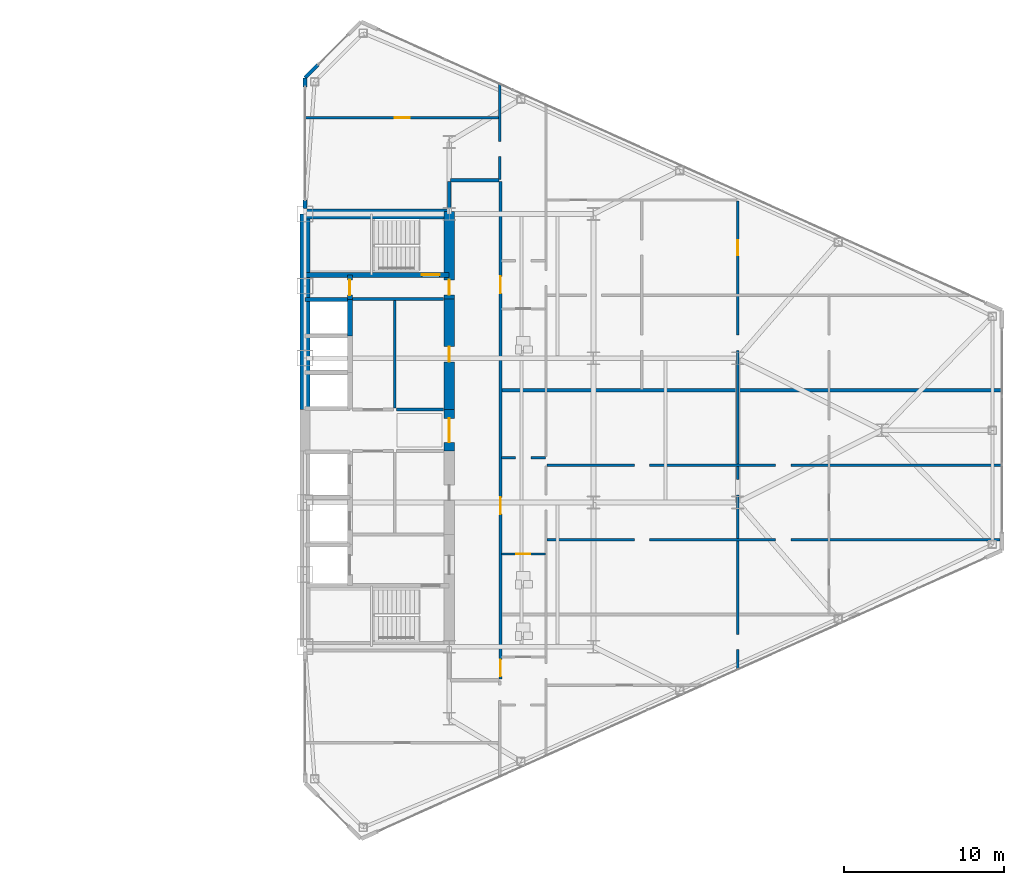
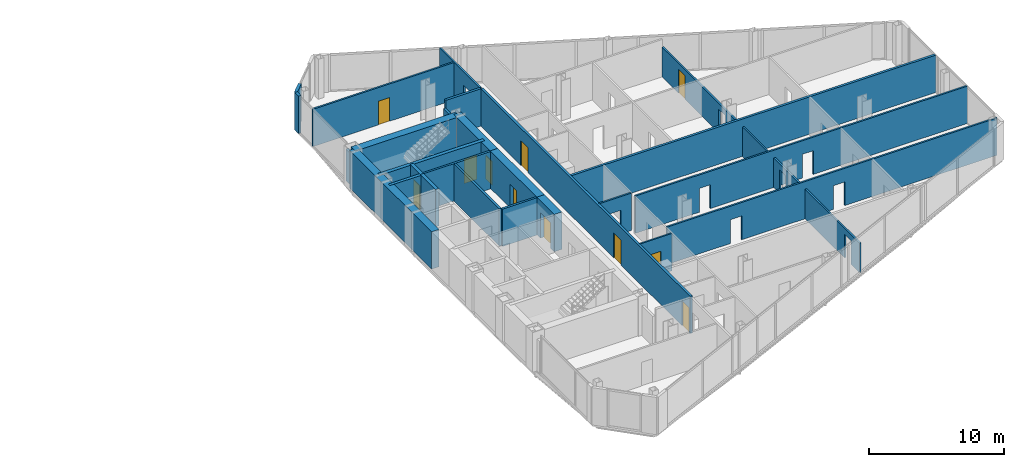
# One storey, part 23 of 27: 26 walls, 11 doors, 20 openings.
"""IFC4 building model written with IfcOpenShell, lengths in metres."""

from ifc_helpers import new_model, si_unit, direction, frame, frame_2d, origin, place, context, subcontext, project, spatial, rectangle, extrude, source, transform, mapped, material, layer, layer_set, type_object, type_shapes, element, fill, save


model = new_model("IFC4")

# Units and contexts
model_context = context("Model", 3, precision=1e-05, world=origin(), true_north=direction((0.0, 1.0)))
body_context = subcontext(model_context, "Body", "Model", "MODEL_VIEW")
ifc_project = project(units=[si_unit("LENGTHUNIT", "METRE"), si_unit("AREAUNIT", "SQUARE_METRE"), si_unit("VOLUMEUNIT", "CUBIC_METRE"), si_unit("PLANEANGLEUNIT", "RADIAN"), si_unit("MASSUNIT", "GRAM", prefix="KILO")], contexts=[model_context])

# Site, building, storey
site_placement = place(None, origin())
site = spatial("IfcSite", under=ifc_project, at=site_placement, CompositionType="ELEMENT")
building_placement = place(site_placement, origin())
building = spatial("IfcBuilding", under=site, at=building_placement, Name="Seokmaru Belvedere", CompositionType="ELEMENT")
storey_placement = place(building_placement, frame((0.0, 0.0, 65.699951171875)))
storey = spatial("IfcBuildingStorey", under=building, at=storey_placement, Name="L17", CompositionType="ELEMENT", Elevation=65.699951171875)

# Wall, openings
ifc_material_1 = material(Name="Fire-Rated Gypsum Shaftwall")
ifc_layer_1 = layer(ifc_material_1, 0.14990234375)
ifc_layer_set_1 = layer_set([ifc_layer_1], Name="Fire-Rated Gypsum Shaftwall")
wall_type_1 = type_object("IfcWallType", Name="Apartment Fire-Acoustic Room Partition 150", PredefinedType="PARTITIONING", material=ifc_layer_set_1)
wall_1_placement = place(storey_placement, frame((42.60009765625, -6.830078125, 0.0), z_axis=(0.0, 0.0, 1.0), x_axis=(1.0, 0.0, 0.0)))
wall_1 = element("IfcWall", 1, at=wall_1_placement, inside=storey, type_object=wall_type_1, Name="L17 Interior Partition 015", PredefinedType="PARTITIONING", context=body_context, shape_type="SweptSolid", body=[
    extrude(rectangle(XDim=28.27490234375, YDim=0.14990234375, at=frame_2d((14.137451171875, 0.0))), origin(), (0.0, 0.0, 1.0), 3.380126953125),
])
opening_1_placement = place(wall_1_placement, frame((5.449951171875, 0.0, 0.0)))
element("IfcOpeningElement", 2, at=opening_1_placement, cuts=wall_1, Name="L17 Cased Opening 039", PredefinedType="OPENING", context=body_context, shape_type="SweptSolid", body=[
    extrude(rectangle(XDim=0.949951171875, YDim=2.14990234375, at=frame_2d((0.47509765625, 1.074951171875))), frame((0.0, 0.0849609375, 0.0), z_axis=(0.0, -1.0, 0.0), x_axis=(1.0, 0.0, 0.0)), (0.0, 0.0, 1.0), 0.169921875),
])
opening_2_placement = place(wall_1_placement, frame((14.27490234375, 0.0, 0.0)))
element("IfcOpeningElement", 3, at=opening_2_placement, cuts=wall_1, Name="L17 Cased Opening 041", PredefinedType="OPENING", context=body_context, shape_type="SweptSolid", body=[
    extrude(rectangle(XDim=0.949951171875, YDim=2.14990234375, at=frame_2d((0.47509765625, 1.074951171875))), frame((0.0, 0.0849609375, 0.0), z_axis=(0.0, -1.0, 0.0), x_axis=(1.0, 0.0, 0.0)), (0.0, 0.0, 1.0), 0.169921875),
])

wall_2_placement = place(storey_placement, frame((42.60009765625, -2.169921875, 0.0), z_axis=(0.0, 0.0, 1.0), x_axis=(1.0, 0.0, 0.0)))
wall_2 = element("IfcWall", 4, at=wall_2_placement, inside=storey, type_object=wall_type_1, Name="L17 Interior Partition 017", PredefinedType="PARTITIONING", context=body_context, shape_type="SweptSolid", body=[
    extrude(rectangle(XDim=28.434814453125, YDim=0.14990234375, at=frame_2d((14.21728515625, 0.0))), origin(), (0.0, 0.0, 1.0), 3.380126953125),
])
opening_3_placement = place(wall_2_placement, frame((5.449951171875, 0.0, 0.0)))
element("IfcOpeningElement", 5, at=opening_3_placement, cuts=wall_2, Name="L17 Cased Opening 040", PredefinedType="OPENING", context=body_context, shape_type="SweptSolid", body=[
    extrude(rectangle(XDim=0.949951171875, YDim=2.14990234375, at=frame_2d((0.47509765625, 1.074951171875))), frame((0.0, 0.0849609375, 0.0), z_axis=(0.0, -1.0, 0.0), x_axis=(1.0, 0.0, 0.0)), (0.0, 0.0, 1.0), 0.169921875),
])
opening_4_placement = place(wall_2_placement, frame((14.27490234375, 0.0, 0.0)))
element("IfcOpeningElement", 6, at=opening_4_placement, cuts=wall_2, Name="L17 Cased Opening 044", PredefinedType="OPENING", context=body_context, shape_type="SweptSolid", body=[
    extrude(rectangle(XDim=0.949951171875, YDim=2.14990234375, at=frame_2d((0.47509765625, 1.074951171875))), frame((0.0, 0.0849609375, 0.0), z_axis=(0.0, -1.0, 0.0), x_axis=(1.0, 0.0, 0.0)), (0.0, 0.0, 1.0), 0.169921875),
])

# Wall, opening
wall_3_placement = place(storey_placement, frame((39.75, -1.699951171875, 0.0), z_axis=(0.0, 0.0, 1.0), x_axis=(1.0, 0.0, 0.0)))
wall_3 = element("IfcWall", 7, at=wall_3_placement, inside=storey, type_object=wall_type_1, Name="L17 Interior Partition 018", PredefinedType="PARTITIONING", context=body_context, shape_type="SweptSolid", body=[
    extrude(rectangle(XDim=2.75, YDim=0.14990234375, at=frame_2d((1.375, 0.0))), origin(), (0.0, 0.0, 1.0), 3.380126953125),
])
opening_5_placement = place(wall_3_placement, frame((0.89990234375, 0.0, 0.0)))
element("IfcOpeningElement", 8, at=opening_5_placement, cuts=wall_3, Name="L17 Cased Opening 036", PredefinedType="OPENING", context=body_context, shape_type="SweptSolid", body=[
    extrude(rectangle(XDim=0.949951171875, YDim=2.14990234375, at=frame_2d((0.47509765625, 1.074951171875))), frame((0.0, 0.0849609375, 0.0), z_axis=(0.0, -1.0, 0.0), x_axis=(1.0, 0.0, 0.0)), (0.0, 0.0, 1.0), 0.169921875),
])

# Wall, opening, door
wall_4_placement = place(storey_placement, frame((27.465087890625, 19.5, 0.0), z_axis=(0.0, 0.0, 1.0), x_axis=(1.0, 0.0, 0.0)))
wall_4 = element("IfcWall", 9, at=wall_4_placement, inside=storey, type_object=wall_type_1, Name="L17 Interior Partition 031", PredefinedType="PARTITIONING", context=body_context, shape_type="SweptSolid", body=[
    extrude(rectangle(XDim=12.135009765625, YDim=0.14990234375, at=frame_2d((6.0673828125, 0.0))), origin(), (0.0, 0.0, 1.0), 3.380126953125),
])
opening_6_placement = place(wall_4_placement, frame((5.635009765625, 0.0, 0.0)))
opening_6 = element("IfcOpeningElement", 10, at=opening_6_placement, cuts=wall_4, Name="Opening D05", PredefinedType="OPENING", context=body_context, shape_type="SweptSolid", body=[
    extrude(rectangle(XDim=0.949951171875, YDim=2.14990234375, at=frame_2d((0.47509765625, 1.074951171875))), frame((0.0, 0.0849609375, 0.0), z_axis=(0.0, -1.0, 0.0), x_axis=(1.0, 0.0, 0.0)), (0.0, 0.0, 1.0), 0.169921875),
])
ifc_material_2 = material(Name="Engineered White Oak Timber", Category="wood")
door_type_1 = type_object("IfcDoorType", Name="Apartment Interior Fire-Rated Oak Door 950x2150", OperationType="NOTDEFINED", PredefinedType="DOOR", material=ifc_material_2)
shared_shape_1 = source(origin(), body_context, "Body", "SweptSolid", [
    extrude(rectangle(XDim=0.949951171875, YDim=2.14990234375, at=frame_2d((0.47509765625, 1.074951171875))), frame((0.0, 0.02490234375, 0.0), z_axis=(0.0, -1.0, 0.0), x_axis=(1.0, 0.0, 0.0)), (0.0, 0.0, 1.0), 0.050048828125),
])
type_shapes(door_type_1, [shared_shape_1])
door_1_placement = place(opening_6_placement, origin())
door_1 = element("IfcDoor", 11, at=door_1_placement, inside=storey, type_object=door_type_1, Name="L17 Interior Door 058", OperationType="SINGLE_SWING_LEFT", OverallHeight=2.14990234375, OverallWidth=0.949951171875, PredefinedType="DOOR", context=body_context, shape_type="MappedRepresentation", body=[
    mapped(shared_shape_1, transform((0.0, 0.0, 0.0), scale=1.0)),
])
fill(opening_6, door_1)

# Wall, opening
wall_5_placement = place(storey_placement, frame((39.64990234375, 15.64990234375, 0.0), z_axis=(0.0, 0.0, 1.0), x_axis=(0.0, 1.0, 0.0)))
wall_5 = element("IfcWall", 12, at=wall_5_placement, inside=storey, type_object=wall_type_1, Name="L17 Interior Partition 043", PredefinedType="PARTITIONING", context=body_context, shape_type="SweptSolid", body=[
    extrude(rectangle(XDim=5.9921875, YDim=0.14990234375, at=frame_2d((2.99609375, 0.0))), origin(), (0.0, 0.0, 1.0), 3.380126953125),
])
opening_7_placement = place(wall_5_placement, frame((1.425048828125, 0.0, 0.0)))
element("IfcOpeningElement", 13, at=opening_7_placement, cuts=wall_5, Name="L17 Cased Opening 057", PredefinedType="OPENING", context=body_context, shape_type="SweptSolid", body=[
    extrude(rectangle(XDim=0.949951171875, YDim=2.14990234375, at=frame_2d((0.47509765625, 1.074951171875))), frame((0.0, 0.0849609375, 0.0), z_axis=(0.0, -1.0, 0.0), x_axis=(1.0, 0.0, 0.0)), (0.0, 0.0, 1.0), 0.169921875),
])

# Wall, openings, door
wall_6_placement = place(storey_placement, frame((54.5, -14.9599609375, 0.0), z_axis=(0.0, 0.0, 1.0), x_axis=(0.0, 1.0, 0.0)))
wall_6 = element("IfcWall", 14, at=wall_6_placement, inside=storey, type_object=wall_type_1, Name="L17 Interior Partition 048", PredefinedType="PARTITIONING", context=body_context, shape_type="SweptSolid", body=[
    extrude(rectangle(XDim=29.278076171875, YDim=0.14990234375, at=frame_2d((14.63916015625, 0.0))), origin(), (0.0, 0.0, 1.0), 2.679931640625),
])
opening_8_placement = place(wall_6_placement, frame((1.2724609375, 0.0, 0.0)))
element("IfcOpeningElement", 15, at=opening_8_placement, cuts=wall_6, Name="L17 Cased Opening 031", PredefinedType="OPENING", context=body_context, shape_type="SweptSolid", body=[
    extrude(rectangle(XDim=0.949951171875, YDim=2.14990234375, at=frame_2d((0.47509765625, 1.074951171875))), frame((0.0, 0.0849609375, 0.0), z_axis=(0.0, -1.0, 0.0), x_axis=(1.0, 0.0, 0.0)), (0.0, 0.0, 1.0), 0.169921875),
])
opening_9_placement = place(wall_6_placement, frame((10.939697265625, 0.0, 0.0)))
element("IfcOpeningElement", 16, at=opening_9_placement, cuts=wall_6, Name="L17 Cased Opening 038", PredefinedType="OPENING", context=body_context, shape_type="SweptSolid", body=[
    extrude(rectangle(XDim=0.949951171875, YDim=2.14990234375, at=frame_2d((0.47509765625, 1.074951171875))), frame((0.0, 0.0849609375, 0.0), z_axis=(0.0, -1.0, 0.0), x_axis=(1.0, 0.0, 0.0)), (0.0, 0.0, 1.0), 0.169921875),
])
opening_10_placement = place(wall_6_placement, frame((25.88623046875, 0.0, 0.0)))
opening_10 = element("IfcOpeningElement", 17, at=opening_10_placement, cuts=wall_6, Name="Opening D05", PredefinedType="OPENING", context=body_context, shape_type="SweptSolid", body=[
    extrude(rectangle(XDim=0.949951171875, YDim=2.14990234375, at=frame_2d((0.47509765625, 1.074951171875))), frame((0.0, 0.0849609375, 0.0), z_axis=(0.0, -1.0, 0.0), x_axis=(1.0, 0.0, 0.0)), (0.0, 0.0, 1.0), 0.169921875),
])
opening_11_placement = place(wall_6_placement, frame((19.9521484375, 0.0, 0.0)))
element("IfcOpeningElement", 18, at=opening_11_placement, cuts=wall_6, Name="L17 Cased Opening 055", PredefinedType="OPENING", context=body_context, shape_type="SweptSolid", body=[
    extrude(rectangle(XDim=0.949951171875, YDim=2.14990234375, at=frame_2d((0.47509765625, 1.074951171875))), frame((0.0, 0.0849609375, 0.0), z_axis=(0.0, -1.0, 0.0), x_axis=(1.0, 0.0, 0.0)), (0.0, 0.0, 1.0), 0.169921875),
])
door_2_placement = place(opening_10_placement, origin())
door_2 = element("IfcDoor", 19, at=door_2_placement, inside=storey, type_object=door_type_1, Name="L17 Interior Door 053", OperationType="SINGLE_SWING_LEFT", OverallHeight=2.14990234375, OverallWidth=0.949951171875, PredefinedType="DOOR", context=body_context, shape_type="MappedRepresentation", body=[
    mapped(shared_shape_1, transform((0.0, 0.0, 0.0), scale=1.0)),
])
fill(opening_10, door_2)

# Walls
ifc_layer_2 = layer(ifc_material_1, 0.179931640625)
ifc_layer_set_2 = layer_set([ifc_layer_2], Name="Fire-Rated Gypsum Shaftwall")
wall_type_2 = type_object("IfcWallType", Name="Core Service Fire Partition 180", PredefinedType="PARTITIONING", material=ifc_layer_set_2)
wall_7_placement = place(storey_placement, frame((30.449951171875, 8.199951171875, 0.0), z_axis=(0.0, 0.0, 1.0), x_axis=(1.0, 0.0, 0.0)))
element("IfcWall", 20, at=wall_7_placement, inside=storey, type_object=wall_type_2, Name="L17 East Smokeproof Vestibule Partition", PredefinedType="PARTITIONING", context=body_context, shape_type="SweptSolid", body=[
    extrude(rectangle(XDim=5.699951171875, YDim=0.179931640625, at=frame_2d((2.85009765625, 0.0))), origin(), (0.0, 0.0, 1.0), 3.380126953125),
])
wall_8_placement = place(storey_placement, frame((33.10009765625, 1.3798828125, 0.0), z_axis=(0.0, 0.0, 1.0), x_axis=(0.0, 1.0, 0.0)))
element("IfcWall", 21, at=wall_8_placement, inside=storey, type_object=wall_type_2, Name="L17 East North Core Service Back Wall", PredefinedType="PARTITIONING", context=body_context, shape_type="SweptSolid", body=[
    extrude(rectangle(XDim=6.740234375, YDim=0.179931640625, at=frame_2d((3.3701171875, 0.0))), origin(), (0.0, 0.0, 1.0), 3.380126953125),
])
wall_9_placement = place(storey_placement, frame((33.199951171875, 1.300048828125, 0.0), z_axis=(0.0, 0.0, 1.0), x_axis=(1.0, 0.0, 0.0)))
element("IfcWall", 22, at=wall_9_placement, inside=storey, type_object=wall_type_2, Name="L17 East Foyer Side Wall N", PredefinedType="PARTITIONING", context=body_context, shape_type="SweptSolid", body=[
    extrude(rectangle(XDim=2.949951171875, YDim=0.179931640625, at=frame_2d((1.47509765625, 0.0))), origin(), (0.0, 0.0, 1.0), 3.380126953125),
])
ifc_material_3 = material(Name="Concrete C50 (50 MPa)", Category="concrete")
ifc_layer_3 = layer(ifc_material_3, 0.25)
ifc_layer_set_3 = layer_set([ifc_layer_3], Name="Concrete C50 (50 MPa)")
wall_type_3 = type_object("IfcWallType", Name="Hoistway Transverse Concrete Divider Wall 250", PredefinedType="SHEAR", material=ifc_layer_set_3)
wall_10_placement = place(storey_placement, frame((27.5, 8.14990234375, 0.0), z_axis=(0.0, 0.0, 1.0), x_axis=(1.0, 0.0, 0.0)))
element("IfcWall", 23, at=wall_10_placement, inside=storey, type_object=wall_type_3, Name="L17 East Hoistway Divider Core Wall 7", PredefinedType="SHEAR", context=body_context, shape_type="SweptSolid", body=[
    extrude(rectangle(XDim=2.800048828125, YDim=0.25, at=frame_2d((1.39990234375, 0.0))), origin(), (0.0, 0.0, 1.0), 3.380126953125),
])
ifc_layer_4 = layer(ifc_material_1, 0.199951171875)
ifc_layer_set_4 = layer_set([ifc_layer_4], Name="Fire-Rated Gypsum Shaftwall")
wall_type_4 = type_object("IfcWallType", Name="Inter-Tenancy Fire Compartment Partition 200", PredefinedType="PARTITIONING", material=ifc_layer_set_4)
wall_11_placement = place(storey_placement, frame((39.780029296875, 2.5, 0.0), z_axis=(0.0, 0.0, 1.0), x_axis=(1.0, 0.0, 0.0)))
element("IfcWall", 24, at=wall_11_placement, inside=storey, type_object=wall_type_4, Name="L17 Interior Partition 021", PredefinedType="PARTITIONING", context=body_context, shape_type="SweptSolid", body=[
    extrude(rectangle(XDim=31.224853515625, YDim=0.199951171875, at=frame_2d((15.6123046875, 0.0))), origin(), (0.0, 0.0, 1.0), 3.380126953125),
])
wall_12_placement = place(storey_placement, frame((36.5849609375, 15.60009765625, 0.0), z_axis=(0.0, 0.0, 1.0), x_axis=(1.0, 0.0, 0.0)))
element("IfcWall", 25, at=wall_12_placement, inside=storey, type_object=wall_type_4, Name="L17 Interior Partition 030", PredefinedType="PARTITIONING", context=body_context, shape_type="SweptSolid", body=[
    extrude(rectangle(XDim=3.030029296875, YDim=0.199951171875, at=frame_2d((1.51513671875, 0.0))), origin(), (0.0, 0.0, 1.0), 3.380126953125),
])
wall_13_placement = place(storey_placement, frame((36.5, 13.830078125, 0.0), z_axis=(0.0, 0.0, 1.0), x_axis=(0.0, 1.0, 0.0)))
element("IfcWall", 26, at=wall_13_placement, inside=storey, type_object=wall_type_4, Name="L17 Interior Partition 041", PredefinedType="PARTITIONING", context=body_context, shape_type="SweptSolid", body=[
    extrude(rectangle(XDim=1.684814453125, YDim=0.199951171875, at=frame_2d((0.84228515625, 0.0))), origin(), (0.0, 0.0, 1.0), 2.679931640625),
])

# Wall, openings, doors
wall_14_placement = place(storey_placement, frame((39.699951171875, -15.514892578125, 0.0), z_axis=(0.0, 0.0, 1.0), x_axis=(0.0, 1.0, 0.0)))
wall_14 = element("IfcWall", 27, at=wall_14_placement, inside=storey, type_object=wall_type_4, Name="L17 Interior Partition 044", PredefinedType="PARTITIONING", context=body_context, shape_type="SweptSolid", body=[
    extrude(rectangle(XDim=31.02978515625, YDim=0.199951171875, at=frame_2d((15.514892578125, 0.0))), origin(), (0.0, 0.0, 1.0), 3.380126953125),
])
opening_12_placement = place(wall_14_placement, frame((0.159912109375, 0.0, 0.0)))
opening_12 = element("IfcOpeningElement", 28, at=opening_12_placement, cuts=wall_14, Name="Opening D03", PredefinedType="OPENING", context=body_context, shape_type="SweptSolid", body=[
    extrude(rectangle(XDim=1.050048828125, YDim=2.25, at=frame_2d((0.52490234375, 1.125))), frame((0.0, 0.10986328125, 0.0), z_axis=(0.0, -1.0, 0.0), x_axis=(1.0, 0.0, 0.0)), (0.0, 0.0, 1.0), 0.219970703125),
])
opening_13_placement = place(wall_14_placement, frame((10.280029296875, 0.0, 0.0)))
opening_13 = element("IfcOpeningElement", 29, at=opening_13_placement, cuts=wall_14, Name="Opening D03", PredefinedType="OPENING", context=body_context, shape_type="SweptSolid", body=[
    extrude(rectangle(XDim=1.050048828125, YDim=2.25, at=frame_2d((0.52490234375, 1.125))), frame((0.0, 0.10986328125, 0.0), z_axis=(0.0, -1.0, 0.0), x_axis=(1.0, 0.0, 0.0)), (0.0, 0.0, 1.0), 0.219970703125),
])
opening_14_placement = place(wall_14_placement, frame((24.0673828125, 0.0, 0.0)))
opening_14 = element("IfcOpeningElement", 30, at=opening_14_placement, cuts=wall_14, Name="Opening D03", PredefinedType="OPENING", context=body_context, shape_type="SweptSolid", body=[
    extrude(rectangle(XDim=1.050048828125, YDim=2.25, at=frame_2d((0.52490234375, 1.125))), frame((0.0, 0.10986328125, 0.0), z_axis=(0.0, -1.0, 0.0), x_axis=(1.0, 0.0, 0.0)), (0.0, 0.0, 1.0), 0.219970703125),
])
ifc_material_4 = material(Name="Fire-Rated Steel Leaf", Category="steel")
door_type_2 = type_object("IfcDoorType", Name="Apartment Entrance Fire Door 1050x2250", OperationType="NOTDEFINED", PredefinedType="DOOR", material=ifc_material_4)
shared_shape_2 = source(origin(), body_context, "Body", "SweptSolid", [
    extrude(rectangle(XDim=1.050048828125, YDim=2.25, at=frame_2d((0.52490234375, 1.125))), frame((0.0, 0.02490234375, 0.0), z_axis=(0.0, -1.0, 0.0), x_axis=(1.0, 0.0, 0.0)), (0.0, 0.0, 1.0), 0.050048828125),
])
type_shapes(door_type_2, [shared_shape_2])
door_3_placement = place(opening_12_placement, origin())
door_3 = element("IfcDoor", 31, at=door_3_placement, inside=storey, type_object=door_type_2, Name="L17 Interior Door 026", OperationType="SINGLE_SWING_LEFT", OverallHeight=2.25, OverallWidth=1.050048828125, PredefinedType="DOOR", context=body_context, shape_type="MappedRepresentation", body=[
    mapped(shared_shape_2, transform((0.0, 0.0, 0.0), scale=1.0)),
])
fill(opening_12, door_3)
door_4_placement = place(opening_13_placement, origin())
door_4 = element("IfcDoor", 32, at=door_4_placement, inside=storey, type_object=door_type_2, Name="L17 Interior Door 034", OperationType="SINGLE_SWING_RIGHT", OverallHeight=2.25, OverallWidth=1.050048828125, PredefinedType="DOOR", context=body_context, shape_type="MappedRepresentation", body=[
    mapped(shared_shape_2, transform((0.0, 0.0, 0.0), scale=1.0)),
])
fill(opening_13, door_4)
door_5_placement = place(opening_14_placement, origin())
door_5 = element("IfcDoor", 33, at=door_5_placement, inside=storey, type_object=door_type_2, Name="L17 Interior Door 046", OperationType="SINGLE_SWING_LEFT", OverallHeight=2.25, OverallWidth=1.050048828125, PredefinedType="DOOR", context=body_context, shape_type="MappedRepresentation", body=[
    mapped(shared_shape_2, transform((0.0, 0.0, 0.0), scale=1.0)),
])
fill(opening_14, door_5)

# Wall, opening, door
ifc_layer_5 = layer(ifc_material_3, 0.300048828125)
ifc_layer_set_5 = layer_set([ifc_layer_5], Name="Concrete C50 (50 MPa)")
wall_type_5 = type_object("IfcWallType", Name="Internal Core Stair and Hoistway Wall 300", PredefinedType="SHEAR", material=ifc_layer_set_5)
wall_15_placement = place(storey_placement, frame((27.5, 9.699951171875, 0.0), z_axis=(0.0, 0.0, 1.0), x_axis=(1.0, 0.0, 0.0)))
wall_15 = element("IfcWall", 34, at=wall_15_placement, inside=storey, type_object=wall_type_5, Name="L17 East Stair ST-2 Enclosure Wall", PredefinedType="SHEAR", context=body_context, shape_type="SweptSolid", body=[
    extrude(rectangle(XDim=9.0, YDim=0.300048828125, at=frame_2d((4.5, 0.0))), origin(), (0.0, 0.0, 1.0), 3.380126953125),
])
opening_15_placement = place(wall_15_placement, frame((7.300048828125, 0.0, 0.0)))
opening_15 = element("IfcOpeningElement", 35, at=opening_15_placement, cuts=wall_15, Name="Opening D01", PredefinedType="OPENING", context=body_context, shape_type="SweptSolid", body=[
    extrude(rectangle(XDim=1.10009765625, YDim=2.199951171875, at=frame_2d((0.550048828125, 1.10009765625))), frame((0.0, 0.16015625, 0.0), z_axis=(0.0, -1.0, 0.0), x_axis=(1.0, 0.0, 0.0)), (0.0, 0.0, 1.0), 0.320068359375),
])
door_type_3 = type_object("IfcDoorType", Name="Special Escape Stair Smokeproof Fire Door 1100x2200", OperationType="NOTDEFINED", PredefinedType="DOOR", material=ifc_material_4)
shared_shape_3 = source(origin(), body_context, "Body", "SweptSolid", [
    extrude(rectangle(XDim=1.10009765625, YDim=2.199951171875, at=frame_2d((0.550048828125, 1.10009765625))), frame((0.0, 0.02490234375, 0.0), z_axis=(0.0, -1.0, 0.0), x_axis=(1.0, 0.0, 0.0)), (0.0, 0.0, 1.0), 0.050048828125),
])
type_shapes(door_type_3, [shared_shape_3])
door_6_placement = place(opening_15_placement, origin())
door_6 = element("IfcDoor", 36, at=door_6_placement, inside=storey, type_object=door_type_3, Name="L17 East Special Escape Stair ST-2 Door", OperationType="SINGLE_SWING_LEFT", OverallHeight=2.199951171875, OverallWidth=1.10009765625, PredefinedType="DOOR", context=body_context, shape_type="MappedRepresentation", body=[
    mapped(shared_shape_3, transform((0.0, 0.0, 0.0), scale=1.0)),
])
fill(opening_15, door_6)

# Wall
wall_16_placement = place(storey_placement, frame((30.300048828125, 5.89990234375, 0.0), z_axis=(0.0, 0.0, 1.0), x_axis=(0.0, 1.0, 0.0)))
element("IfcWall", 37, at=wall_16_placement, inside=storey, type_object=wall_type_5, Name="L17 East North Hoistway Wall OBS", PredefinedType="SHEAR", context=body_context, shape_type="SweptSolid", body=[
    extrude(rectangle(XDim=2.25, YDim=0.300048828125, at=frame_2d((1.125, 0.0))), origin(), (0.0, 0.0, 1.0), 3.380126953125),
])

# Wall, opening, door
wall_17_placement = place(storey_placement, frame((30.300048828125, 8.14990234375, 0.0), z_axis=(0.0, 0.0, 1.0), x_axis=(0.0, 1.0, 0.0)))
wall_17 = element("IfcWall", 38, at=wall_17_placement, inside=storey, type_object=wall_type_5, Name="L17 East Electrical Riser Front Wall", PredefinedType="SHEAR", context=body_context, shape_type="SweptSolid", body=[
    extrude(rectangle(XDim=1.530029296875, YDim=0.300048828125, at=frame_2d((0.76513671875, 0.0))), origin(), (0.0, 0.0, 1.0), 3.380126953125),
])
opening_16_placement = place(wall_17_placement, frame((0.284912109375, 0.0, 0.0)))
opening_16 = element("IfcOpeningElement", 39, at=opening_16_placement, cuts=wall_17, Name="Opening D04", PredefinedType="OPENING", context=body_context, shape_type="SweptSolid", body=[
    extrude(rectangle(XDim=0.949951171875, YDim=2.14990234375, at=frame_2d((0.47509765625, 1.074951171875))), frame((0.0, 0.16015625, 0.0), z_axis=(0.0, -1.0, 0.0), x_axis=(1.0, 0.0, 0.0)), (0.0, 0.0, 1.0), 0.320068359375),
])
door_type_4 = type_object("IfcDoorType", Name="Core Service Room Fire Door 950x2150", OperationType="NOTDEFINED", PredefinedType="DOOR", material=ifc_material_4)
shared_shape_4 = source(origin(), body_context, "Body", "SweptSolid", [
    extrude(rectangle(XDim=0.949951171875, YDim=2.14990234375, at=frame_2d((0.47509765625, 1.074951171875))), frame((0.0, 0.02490234375, 0.0), z_axis=(0.0, -1.0, 0.0), x_axis=(1.0, 0.0, 0.0)), (0.0, 0.0, 1.0), 0.050048828125),
])
type_shapes(door_type_4, [shared_shape_4])
door_7_placement = place(opening_16_placement, origin())
door_7 = element("IfcDoor", 40, at=door_7_placement, inside=storey, type_object=door_type_4, Name="L17 East Electrical Riser Access Door", OperationType="SINGLE_SWING_RIGHT", OverallHeight=2.14990234375, OverallWidth=0.949951171875, PredefinedType="DOOR", context=body_context, shape_type="MappedRepresentation", body=[
    mapped(shared_shape_4, transform((0.0, 0.0, 0.0), scale=1.0)),
])
fill(opening_16, door_7)

# Walls
ifc_material_5 = material(Name="Concrete C60 (60 MPa)", Category="concrete")
ifc_layer_6 = layer(ifc_material_5, 0.64990234375)
ifc_layer_set_6 = layer_set([ifc_layer_6], Name="Concrete C60 (60 MPa)")
wall_type_6 = type_object("IfcWallType", Name="Mid-Low Reinforced Concrete Core Wall 650", PredefinedType="SHEAR", material=ifc_layer_set_6)
wall_18_placement = place(storey_placement, frame((27.5, 1.300048828125, 0.0), z_axis=(0.0, 0.0, 1.0), x_axis=(0.0, 1.0, 0.0)))
element("IfcWall", 41, at=wall_18_placement, inside=storey, type_object=wall_type_6, Name="L17 East Portal Spine Core Wall North", PredefinedType="SHEAR", context=body_context, shape_type="SweptSolid", body=[
    extrude(rectangle(XDim=12.199951171875, YDim=0.64990234375, at=frame_2d((6.10009765625, 0.0))), origin(), (0.0, 0.0, 1.0), 3.380126953125),
])
wall_19_placement = place(storey_placement, frame((27.5, 13.5, 0.0), z_axis=(0.0, 0.0, 1.0), x_axis=(1.0, 0.0, 0.0)))
element("IfcWall", 42, at=wall_19_placement, inside=storey, type_object=wall_type_6, Name="L17 East North Core Wall", PredefinedType="SHEAR", context=body_context, shape_type="SweptSolid", body=[
    extrude(rectangle(XDim=9.0, YDim=0.64990234375, at=frame_2d((4.5, 0.0))), origin(), (0.0, 0.0, 1.0), 3.380126953125),
])

# Wall, opening, door
wall_20_placement = place(storey_placement, frame((36.5, -1.300048828125, 0.0), z_axis=(0.0, 0.0, 1.0), x_axis=(0.0, 1.0, 0.0)))
wall_20 = element("IfcWall", 43, at=wall_20_placement, inside=storey, type_object=wall_type_6, Name="L17 East West Core Wall FOY", PredefinedType="SHEAR", context=body_context, shape_type="SweptSolid", body=[
    extrude(rectangle(XDim=2.60009765625, YDim=0.64990234375, at=frame_2d((1.300048828125, 0.0))), origin(), (0.0, 0.0, 1.0), 3.380126953125),
])
opening_17_placement = place(wall_20_placement, frame((0.550048828125, 0.0, 0.0)))
opening_17 = element("IfcOpeningElement", 44, at=opening_17_placement, cuts=wall_20, Name="Opening D08", PredefinedType="OPENING", context=body_context, shape_type="SweptSolid", body=[
    extrude(rectangle(XDim=1.5, YDim=2.300048828125, at=frame_2d((0.75, 1.14990234375))), frame((0.0, 0.3349609375, 0.0), z_axis=(0.0, -1.0, 0.0), x_axis=(1.0, 0.0, 0.0)), (0.0, 0.0, 1.0), 0.669921875),
])
door_type_5 = type_object("IfcDoorType", Name="Cross-Corridor Compartment Double Fire Door 1500x2300", OperationType="DOUBLE_SWING_LEFT", PredefinedType="DOOR", material=ifc_material_4)
shared_shape_5 = source(origin(), body_context, "Body", "SweptSolid", [
    extrude(rectangle(XDim=1.5, YDim=2.300048828125, at=frame_2d((0.75, 1.14990234375))), frame((0.0, 0.02490234375, 0.0), z_axis=(0.0, -1.0, 0.0), x_axis=(1.0, 0.0, 0.0)), (0.0, 0.0, 1.0), 0.050048828125),
])
type_shapes(door_type_5, [shared_shape_5])
door_8_placement = place(opening_17_placement, origin())
door_8 = element("IfcDoor", 45, at=door_8_placement, inside=storey, type_object=door_type_5, Name="L17 East Core Foyer Compartment Door", OperationType="DOUBLE_SWING_LEFT", OverallHeight=2.300048828125, OverallWidth=1.5, PredefinedType="DOOR", context=body_context, shape_type="MappedRepresentation", body=[
    mapped(shared_shape_5, transform((0.0, 0.0, 0.0), scale=1.0)),
])
fill(opening_17, door_8)

wall_21_placement = place(storey_placement, frame((36.5, 8.199951171875, 0.0), z_axis=(0.0, 0.0, 1.0), x_axis=(0.0, 1.0, 0.0)))
wall_21 = element("IfcWall", 46, at=wall_21_placement, inside=storey, type_object=wall_type_6, Name="L17 East West Core Wall VST", PredefinedType="SHEAR", context=body_context, shape_type="SweptSolid", body=[
    extrude(rectangle(XDim=5.449951171875, YDim=0.64990234375, at=frame_2d((2.72509765625, 0.0))), origin(), (0.0, 0.0, 1.0), 3.380126953125),
])
opening_18_placement = place(wall_21_placement, frame((0.2451171875, 0.0, 0.0)))
opening_18 = element("IfcOpeningElement", 47, at=opening_18_placement, cuts=wall_21, Name="Opening D04", PredefinedType="OPENING", context=body_context, shape_type="SweptSolid", body=[
    extrude(rectangle(XDim=0.949951171875, YDim=2.14990234375, at=frame_2d((0.47509765625, 1.074951171875))), frame((0.0, 0.3349609375, 0.0), z_axis=(0.0, -1.0, 0.0), x_axis=(1.0, 0.0, 0.0)), (0.0, 0.0, 1.0), 0.669921875),
])
door_9_placement = place(opening_18_placement, origin())
door_9 = element("IfcDoor", 48, at=door_9_placement, inside=storey, type_object=door_type_4, Name="L17 East Smokeproof Vestibule Door", OperationType="SINGLE_SWING_LEFT", OverallHeight=2.14990234375, OverallWidth=0.949951171875, PredefinedType="DOOR", context=body_context, shape_type="MappedRepresentation", body=[
    mapped(shared_shape_4, transform((0.0, 0.0, 0.0), scale=1.0)),
])
fill(opening_18, door_9)

wall_22_placement = place(storey_placement, frame((36.5, 1.300048828125, 0.0), z_axis=(0.0, 0.0, 1.0), x_axis=(0.0, 1.0, 0.0)))
wall_22 = element("IfcWall", 49, at=wall_22_placement, inside=storey, type_object=wall_type_6, Name="L17 East West Core Wall CS2", PredefinedType="SHEAR", context=body_context, shape_type="SweptSolid", body=[
    extrude(rectangle(XDim=6.89990234375, YDim=0.64990234375, at=frame_2d((3.449951171875, 0.0))), origin(), (0.0, 0.0, 1.0), 3.380126953125),
])
opening_19_placement = place(wall_22_placement, frame((2.97509765625, 0.0, 0.0)))
opening_19 = element("IfcOpeningElement", 50, at=opening_19_placement, cuts=wall_22, Name="Opening D04", PredefinedType="OPENING", context=body_context, shape_type="SweptSolid", body=[
    extrude(rectangle(XDim=0.949951171875, YDim=2.14990234375, at=frame_2d((0.47509765625, 1.074951171875))), frame((0.0, 0.3349609375, 0.0), z_axis=(0.0, -1.0, 0.0), x_axis=(1.0, 0.0, 0.0)), (0.0, 0.0, 1.0), 0.669921875),
])
door_10_placement = place(opening_19_placement, origin())
door_10 = element("IfcDoor", 51, at=door_10_placement, inside=storey, type_object=door_type_4, Name="L17 East Core Service Room Door 2", OperationType="SINGLE_SWING_LEFT", OverallHeight=2.14990234375, OverallWidth=0.949951171875, PredefinedType="DOOR", context=body_context, shape_type="MappedRepresentation", body=[
    mapped(shared_shape_4, transform((0.0, 0.0, 0.0), scale=1.0)),
])
fill(opening_19, door_10)

ifc_layer_7 = layer(ifc_material_1, 0.1298828125)
ifc_layer_set_7 = layer_set([ifc_layer_7], Name="Fire-Rated Gypsum Shaftwall")
wall_type_7 = type_object("IfcWallType", Name="Moisture-Resistant Fire-Rated Bathroom Partition 130", PredefinedType="PARTITIONING", material=ifc_layer_set_7)
wall_23_placement = place(storey_placement, frame((39.75, -7.719970703125, 0.0), z_axis=(0.0, 0.0, 1.0), x_axis=(1.0, 0.0, 0.0)))
wall_23 = element("IfcWall", 52, at=wall_23_placement, inside=storey, type_object=wall_type_7, Name="L17 Interior Partition 014", PredefinedType="PARTITIONING", context=body_context, shape_type="SweptSolid", body=[
    extrude(rectangle(XDim=2.75, YDim=0.1298828125, at=frame_2d((1.375, 0.0))), origin(), (0.0, 0.0, 1.0), 3.380126953125),
])
opening_20_placement = place(wall_23_placement, frame((0.93505859375, 0.0, 0.0)))
opening_20 = element("IfcOpeningElement", 53, at=opening_20_placement, cuts=wall_23, Name="Opening D06", PredefinedType="OPENING", context=body_context, shape_type="SweptSolid", body=[
    extrude(rectangle(XDim=0.8798828125, YDim=2.10009765625, at=frame_2d((0.43994140625, 1.050048828125))), frame((0.0, 0.074951171875, 0.0), z_axis=(0.0, -1.0, 0.0), x_axis=(1.0, 0.0, 0.0)), (0.0, 0.0, 1.0), 0.14990234375),
])
door_type_6 = type_object("IfcDoorType", Name="Bathroom and Restroom Fire-Rated Door 880x2100", OperationType="NOTDEFINED", PredefinedType="DOOR", material=ifc_material_2)
shared_shape_6 = source(origin(), body_context, "Body", "SweptSolid", [
    extrude(rectangle(XDim=0.8798828125, YDim=2.10009765625, at=frame_2d((0.43994140625, 1.050048828125))), frame((0.0, 0.02490234375, 0.0), z_axis=(0.0, -1.0, 0.0), x_axis=(1.0, 0.0, 0.0)), (0.0, 0.0, 1.0), 0.050048828125),
])
type_shapes(door_type_6, [shared_shape_6])
door_11_placement = place(opening_20_placement, origin())
door_11 = element("IfcDoor", 54, at=door_11_placement, inside=storey, type_object=door_type_6, Name="L17 Interior Door 035", OperationType="SINGLE_SWING_RIGHT", OverallHeight=2.10009765625, OverallWidth=0.8798828125, PredefinedType="DOOR", context=body_context, shape_type="MappedRepresentation", body=[
    mapped(shared_shape_6, transform((0.0, 0.0, 0.0), scale=1.0)),
])
fill(opening_20, door_11)

# Walls
ifc_material_6 = material(Name="Anodised Bronze Aluminium", Category="aluminium")
ifc_layer_8 = layer(ifc_material_6, 0.239990234375)
ifc_layer_set_8 = layer_set([ifc_layer_8], Name="Anodised Bronze Aluminium")
wall_type_8 = type_object("IfcWallType", Name="Tower Corner Spandrel Closure Wall 240", PredefinedType="SOLIDWALL", material=ifc_layer_set_8)
wall_24_placement = place(storey_placement, frame((28.313232421875, 22.813232421875, 0.0), z_axis=(0.0, 0.0, 1.0), x_axis=(-0.707106781187, -0.707106781187, 0.0)))
element("IfcWall", 55, at=wall_24_placement, inside=storey, type_object=wall_type_8, Name="L17 E Corner Closure Pier 4B", PredefinedType="SOLIDWALL", context=body_context, shape_type="SweptSolid", body=[
    extrude(rectangle(XDim=1.14013671875, YDim=0.239990234375, at=frame_2d((0.570068359375, 0.0))), origin(), (0.0, 0.0, 1.0), 3.380126953125),
])
wall_25_placement = place(storey_placement, frame((27.5, 13.830078125, 0.0), z_axis=(0.0, 0.0, 1.0), x_axis=(0.0, 1.0, 0.0)))
element("IfcWall", 56, at=wall_25_placement, inside=storey, type_object=wall_type_8, Name="L17 E Spine Closure Pier 2A", PredefinedType="SOLIDWALL", context=body_context, shape_type="SweptSolid", body=[
    extrude(rectangle(XDim=0.5498046875, YDim=0.239990234375, at=frame_2d((0.27490234375, 0.0))), origin(), (0.0, 0.0, 1.0), 2.880126953125),
])
wall_26_placement = place(storey_placement, frame((27.5, 21.429931640625, 0.0), z_axis=(0.0, 0.0, 1.0), x_axis=(0.0, 1.0, 0.0)))
element("IfcWall", 57, at=wall_26_placement, inside=storey, type_object=wall_type_8, Name="L17 E Spine Closure Pier 2B", PredefinedType="SOLIDWALL", context=body_context, shape_type="SweptSolid", body=[
    extrude(rectangle(XDim=0.550048828125, YDim=0.239990234375, at=frame_2d((0.27490234375, 0.0))), origin(), (0.0, 0.0, 1.0), 3.380126953125),
])

save(model, "model.ifc")
